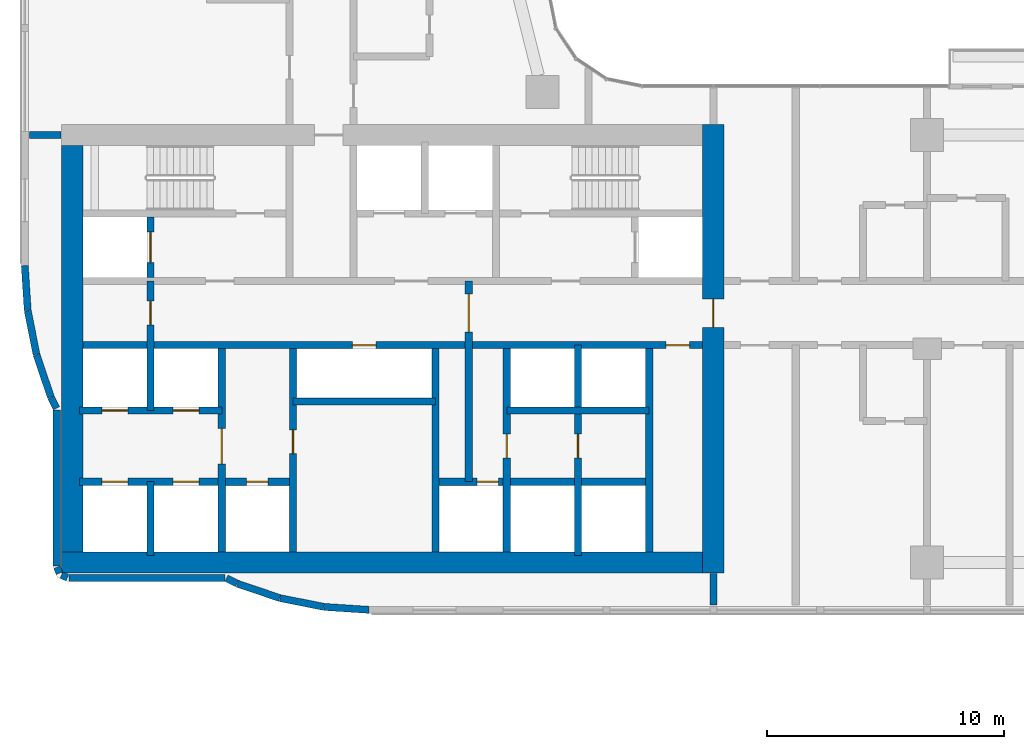
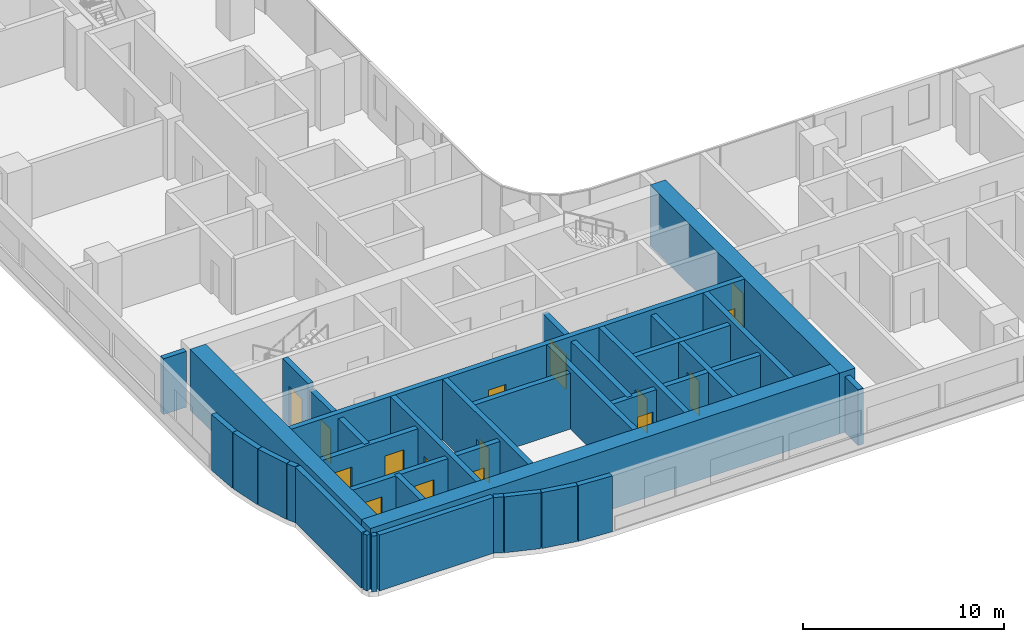
# One storey, part 15 of 32: 33 walls, 16 doors, 16 openings.
"""IFC4 building model written with IfcOpenShell, lengths in metres."""

from ifc_helpers import new_model, si_unit, direction, frame, frame_2d, origin, place, context, subcontext, project, spatial, rectangle, extrude, material, layer, layer_set, type_object, element, fill, save


model = new_model("IFC4")

# Units and contexts
model_context = context("Model", 3, precision=1e-05, world=origin(), true_north=direction((0.0, 1.0)))
body_context = subcontext(model_context, "Body", "Model", "MODEL_VIEW")
ifc_project = project(units=[si_unit("LENGTHUNIT", "METRE"), si_unit("AREAUNIT", "SQUARE_METRE"), si_unit("VOLUMEUNIT", "CUBIC_METRE"), si_unit("PLANEANGLEUNIT", "RADIAN"), si_unit("MASSUNIT", "GRAM", prefix="KILO")], contexts=[model_context])

# Site, building, storey
site_placement = place(None, origin())
site = spatial("IfcSite", under=ifc_project, at=site_placement, CompositionType="ELEMENT")
building_placement = place(site_placement, origin())
building = spatial("IfcBuilding", under=site, at=building_placement, Name="Ogive Portal Towers", CompositionType="ELEMENT")
storey_placement = place(building_placement, frame((0.0, 0.0, 55.699951171875)))
storey = spatial("IfcBuildingStorey", under=building, at=storey_placement, Name="L12", CompositionType="ELEMENT", Elevation=55.699951171875)

# Wall, opening, door
ifc_material_1 = material(Name="Concrete C60/75", Category="concrete")
ifc_layer_1 = layer(ifc_material_1, 0.300048828125)
ifc_layer_set_1 = layer_set([ifc_layer_1], Name="CORE WALL 300 C60")
wall_type_1 = type_object("IfcWallType", Name="CORE WALL 300 C60", PredefinedType="SHEAR", material=ifc_layer_set_1)
wall_1_placement = place(storey_placement, frame((37.800048828125, 21.949951171875, 0.0), z_axis=(0.0, 0.0, 1.0), x_axis=(0.0, 1.0, 0.0)))
wall_1 = element("IfcWall", 1, at=wall_1_placement, inside=storey, type_object=wall_type_1, Name="Core wall X1 L12", PredefinedType="SHEAR", context=body_context, shape_type="SweptSolid", body=[
    extrude(rectangle(XDim=8.550048828125, YDim=0.300048828125, at=frame_2d((4.27490234375, 0.0))), origin(), (0.0, 0.0, 1.0), 3.699951171875),
])
opening_1_placement = place(wall_1_placement, frame((3.699951171875, 0.0, 0.0)))
opening_1 = element("IfcOpeningElement", 2, at=opening_1_placement, cuts=wall_1, Name="Opening D03-002", PredefinedType="OPENING", context=body_context, shape_type="SweptSolid", body=[
    extrude(rectangle(XDim=1.5, YDim=2.10009765625, at=frame_2d((0.75, 1.050048828125))), frame((0.0, 0.16015625, 0.0), z_axis=(0.0, -1.0, 0.0), x_axis=(1.0, 0.0, 0.0)), (0.0, 0.0, 1.0), 0.320068359375),
])
ifc_material_2 = material(Name="Steel fire door", Category="steel")
door_type_1 = type_object("IfcDoorType", Name="DT-SWING-1500x2100-FD90S", OperationType="SINGLE_SWING_LEFT", PredefinedType="DOOR", material=ifc_material_2)
door_1_placement = place(opening_1_placement, origin())
door_1 = element("IfcDoor", 3, at=door_1_placement, inside=storey, type_object=door_type_1, Name="Door D03-002", OperationType="SINGLE_SWING_LEFT", OverallHeight=2.10009765625, OverallWidth=1.5, PredefinedType="DOOR", context=body_context, shape_type="SweptSolid", body=[
    extrude(rectangle(XDim=1.5, YDim=2.10009765625, at=frame_2d((0.75, 1.050048828125))), frame((0.0, 0.02490234375, 0.0), z_axis=(0.0, -1.0, 0.0), x_axis=(1.0, 0.0, 0.0)), (0.0, 0.0, 1.0), 0.050048828125),
])
fill(opening_1, door_1)

wall_2_placement = place(storey_placement, frame((40.800048828125, 21.949951171875, 0.0), z_axis=(0.0, 0.0, 1.0), x_axis=(0.0, 1.0, 0.0)))
wall_2 = element("IfcWall", 4, at=wall_2_placement, inside=storey, type_object=wall_type_1, Name="Core wall X2 L12", PredefinedType="SHEAR", context=body_context, shape_type="SweptSolid", body=[
    extrude(rectangle(XDim=8.550048828125, YDim=0.300048828125, at=frame_2d((4.27490234375, 0.0))), origin(), (0.0, 0.0, 1.0), 3.699951171875),
])
opening_2_placement = place(wall_2_placement, frame((4.137939453125, 0.0, 0.0)))
opening_2 = element("IfcOpeningElement", 5, at=opening_2_placement, cuts=wall_2, Name="Opening D03-022", PredefinedType="OPENING", context=body_context, shape_type="SweptSolid", body=[
    extrude(rectangle(XDim=1.0, YDim=2.10009765625, at=frame_2d((0.5, 1.050048828125))), frame((0.0, 0.16015625, 0.0), z_axis=(0.0, -1.0, 0.0), x_axis=(1.0, 0.0, 0.0)), (0.0, 0.0, 1.0), 0.320068359375),
])
door_type_2 = type_object("IfcDoorType", Name="DT-SWING-1000x2100-FD90S", OperationType="SINGLE_SWING_LEFT", PredefinedType="DOOR", material=ifc_material_2)
door_2_placement = place(opening_2_placement, origin())
door_2 = element("IfcDoor", 6, at=door_2_placement, inside=storey, type_object=door_type_2, Name="Door D03-022", OperationType="SINGLE_SWING_RIGHT", OverallHeight=2.10009765625, OverallWidth=1.0, PredefinedType="DOOR", context=body_context, shape_type="SweptSolid", body=[
    extrude(rectangle(XDim=1.0, YDim=2.10009765625, at=frame_2d((0.5, 1.050048828125))), frame((0.0, 0.02490234375, 0.0), z_axis=(0.0, -1.0, 0.0), x_axis=(1.0, 0.0, 0.0)), (0.0, 0.0, 1.0), 0.050048828125),
])
fill(opening_2, door_2)

# Wall
wall_3_placement = place(storey_placement, frame((46.800048828125, 21.949951171875, 0.0), z_axis=(0.0, 0.0, 1.0), x_axis=(0.0, 1.0, 0.0)))
element("IfcWall", 7, at=wall_3_placement, inside=storey, type_object=wall_type_1, Name="Core wall X3 L12", PredefinedType="SHEAR", context=body_context, shape_type="SweptSolid", body=[
    extrude(rectangle(XDim=8.550048828125, YDim=0.300048828125, at=frame_2d((4.27490234375, 0.0))), origin(), (0.0, 0.0, 1.0), 3.699951171875),
])

# Wall, opening, door
wall_4_placement = place(storey_placement, frame((49.800048828125, 21.949951171875, 0.0), z_axis=(0.0, 0.0, 1.0), x_axis=(0.0, 1.0, 0.0)))
wall_4 = element("IfcWall", 8, at=wall_4_placement, inside=storey, type_object=wall_type_1, Name="Core wall X4 L12", PredefinedType="SHEAR", context=body_context, shape_type="SweptSolid", body=[
    extrude(rectangle(XDim=8.550048828125, YDim=0.300048828125, at=frame_2d((4.27490234375, 0.0))), origin(), (0.0, 0.0, 1.0), 3.699951171875),
])
opening_3_placement = place(wall_4_placement, frame((3.949951171875, 0.0, 0.0)))
opening_3 = element("IfcOpeningElement", 9, at=opening_3_placement, cuts=wall_4, Name="Opening D03-023", PredefinedType="OPENING", context=body_context, shape_type="SweptSolid", body=[
    extrude(rectangle(XDim=1.0, YDim=2.10009765625, at=frame_2d((0.5, 1.050048828125))), frame((0.0, 0.16015625, 0.0), z_axis=(0.0, -1.0, 0.0), x_axis=(1.0, 0.0, 0.0)), (0.0, 0.0, 1.0), 0.320068359375),
])
door_3_placement = place(opening_3_placement, origin())
door_3 = element("IfcDoor", 10, at=door_3_placement, inside=storey, type_object=door_type_2, Name="Door D03-023", OperationType="SINGLE_SWING_LEFT", OverallHeight=2.10009765625, OverallWidth=1.0, PredefinedType="DOOR", context=body_context, shape_type="SweptSolid", body=[
    extrude(rectangle(XDim=1.0, YDim=2.10009765625, at=frame_2d((0.5, 1.050048828125))), frame((0.0, 0.02490234375, 0.0), z_axis=(0.0, -1.0, 0.0), x_axis=(1.0, 0.0, 0.0)), (0.0, 0.0, 1.0), 0.050048828125),
])
fill(opening_3, door_3)

# Wall
wall_5_placement = place(storey_placement, frame((55.800048828125, 21.949951171875, 0.0), z_axis=(0.0, 0.0, 1.0), x_axis=(0.0, 1.0, 0.0)))
element("IfcWall", 11, at=wall_5_placement, inside=storey, type_object=wall_type_1, Name="Core wall X5 L12", PredefinedType="SHEAR", context=body_context, shape_type="SweptSolid", body=[
    extrude(rectangle(XDim=8.550048828125, YDim=0.300048828125, at=frame_2d((4.27490234375, 0.0))), origin(), (0.0, 0.0, 1.0), 3.699951171875),
])

# Wall, openings, doors
wall_6_placement = place(storey_placement, frame((31.949951171875, 30.64990234375, 0.0), z_axis=(0.0, 0.0, 1.0), x_axis=(1.0, 0.0, 0.0)))
wall_6 = element("IfcWall", 12, at=wall_6_placement, inside=storey, type_object=wall_type_1, Name="Core wall Y1 L12", PredefinedType="SHEAR", context=body_context, shape_type="SweptSolid", body=[
    extrude(rectangle(XDim=26.10009765625, YDim=0.300048828125, at=frame_2d((13.050048828125, 0.0))), origin(), (0.0, 0.0, 1.0), 3.699951171875),
])
opening_4_placement = place(wall_6_placement, frame((24.550048828125, 0.0, 0.0)))
opening_4 = element("IfcOpeningElement", 13, at=opening_4_placement, cuts=wall_6, Name="Opening D03-010", PredefinedType="OPENING", context=body_context, shape_type="SweptSolid", body=[
    extrude(rectangle(XDim=1.0, YDim=2.10009765625, at=frame_2d((0.5, 1.050048828125))), frame((0.0, 0.16015625, 0.0), z_axis=(0.0, -1.0, 0.0), x_axis=(1.0, 0.0, 0.0)), (0.0, 0.0, 1.0), 0.320068359375),
])
opening_5_placement = place(wall_6_placement, frame((11.35009765625, 0.0, 0.0)))
opening_5 = element("IfcOpeningElement", 14, at=opening_5_placement, cuts=wall_6, Name="Opening D03-021", PredefinedType="OPENING", context=body_context, shape_type="SweptSolid", body=[
    extrude(rectangle(XDim=1.0, YDim=2.10009765625, at=frame_2d((0.5, 1.050048828125))), frame((0.0, 0.16015625, 0.0), z_axis=(0.0, -1.0, 0.0), x_axis=(1.0, 0.0, 0.0)), (0.0, 0.0, 1.0), 0.320068359375),
])
door_4_placement = place(opening_4_placement, origin())
door_4 = element("IfcDoor", 15, at=door_4_placement, inside=storey, type_object=door_type_2, Name="Door D03-010", OperationType="SINGLE_SWING_LEFT", OverallHeight=2.10009765625, OverallWidth=1.0, PredefinedType="DOOR", context=body_context, shape_type="SweptSolid", body=[
    extrude(rectangle(XDim=1.0, YDim=2.10009765625, at=frame_2d((0.5, 1.050048828125))), frame((0.0, 0.02490234375, 0.0), z_axis=(0.0, -1.0, 0.0), x_axis=(1.0, 0.0, 0.0)), (0.0, 0.0, 1.0), 0.050048828125),
])
fill(opening_4, door_4)
door_5_placement = place(opening_5_placement, origin())
door_5 = element("IfcDoor", 16, at=door_5_placement, inside=storey, type_object=door_type_2, Name="Riser access door D03-021", OperationType="SINGLE_SWING_LEFT", OverallHeight=2.10009765625, OverallWidth=1.0, PredefinedType="DOOR", context=body_context, shape_type="SweptSolid", body=[
    extrude(rectangle(XDim=1.0, YDim=2.10009765625, at=frame_2d((0.5, 1.050048828125))), frame((0.0, 0.02490234375, 0.0), z_axis=(0.0, -1.0, 0.0), x_axis=(1.0, 0.0, 0.0)), (0.0, 0.0, 1.0), 0.050048828125),
])
fill(opening_5, door_5)

# Wall, opening, door
wall_7_placement = place(storey_placement, frame((34.800048828125, 33.5, 0.0), z_axis=(0.0, 0.0, 1.0), x_axis=(0.0, 1.0, 0.0)))
wall_7 = element("IfcWall", 17, at=wall_7_placement, inside=storey, type_object=wall_type_1, Name="Core wall X8 L12", PredefinedType="SHEAR", context=body_context, shape_type="SweptSolid", body=[
    extrude(rectangle(XDim=2.550048828125, YDim=0.300048828125, at=frame_2d((1.27490234375, 0.0))), origin(), (0.0, 0.0, 1.0), 3.699951171875),
])
opening_6_placement = place(wall_7_placement, frame((0.625, 0.0, 0.0)))
opening_6 = element("IfcOpeningElement", 18, at=opening_6_placement, cuts=wall_7, Name="Opening D03-019", PredefinedType="OPENING", context=body_context, shape_type="SweptSolid", body=[
    extrude(rectangle(XDim=1.300048828125, YDim=2.39990234375, at=frame_2d((0.64990234375, 1.199951171875))), frame((0.0, 0.16015625, 0.0), z_axis=(0.0, -1.0, 0.0), x_axis=(1.0, 0.0, 0.0)), (0.0, 0.0, 1.0), 0.320068359375),
])
ifc_material_3 = material(Name="Stainless steel", Category="steel")
door_type_3 = type_object("IfcDoorType", Name="DT-LD-1300x2400", OperationType="SLIDING_TO_LEFT", PredefinedType="DOOR", material=ifc_material_3)
door_6_placement = place(opening_6_placement, origin())
door_6 = element("IfcDoor", 19, at=door_6_placement, inside=storey, type_object=door_type_3, Name="Door D03-019", OperationType="SLIDING_TO_LEFT", OverallHeight=2.39990234375, OverallWidth=1.300048828125, PredefinedType="DOOR", context=body_context, shape_type="SweptSolid", body=[
    extrude(rectangle(XDim=1.300048828125, YDim=2.39990234375, at=frame_2d((0.64990234375, 1.199951171875))), frame((0.0, 0.02490234375, 0.0), z_axis=(0.0, -1.0, 0.0), x_axis=(1.0, 0.0, 0.0)), (0.0, 0.0, 1.0), 0.050048828125),
])
fill(opening_6, door_6)

# Walls
ifc_layer_2 = layer(ifc_material_1, 0.89990234375)
ifc_layer_set_2 = layer_set([ifc_layer_2], Name="CORE WALL 900 C60")
wall_type_2 = type_object("IfcWallType", Name="CORE WALL 900 C60", PredefinedType="SHEAR", material=ifc_layer_set_2)
wall_8_placement = place(storey_placement, frame((31.5, 21.949951171875, 0.0), z_axis=(0.0, 0.0, 1.0), x_axis=(0.0, 1.0, 0.0)))
element("IfcWall", 20, at=wall_8_placement, inside=storey, type_object=wall_type_2, Name="Core wall W L12", PredefinedType="SHEAR", context=body_context, shape_type="SweptSolid", body=[
    extrude(rectangle(XDim=17.10009765625, YDim=0.89990234375, at=frame_2d((8.550048828125, 0.0))), origin(), (0.0, 0.0, 1.0), 3.699951171875),
])
wall_9_placement = place(storey_placement, frame((31.050048828125, 21.5, 0.0), z_axis=(0.0, 0.0, 1.0), x_axis=(1.0, 0.0, 0.0)))
element("IfcWall", 21, at=wall_9_placement, inside=storey, type_object=wall_type_2, Name="Core wall S L12", PredefinedType="SHEAR", context=body_context, shape_type="SweptSolid", body=[
    extrude(rectangle(XDim=27.0, YDim=0.89990234375, at=frame_2d((13.5, 0.0))), origin(), (0.0, 0.0, 1.0), 3.699951171875),
])

# Wall, opening, door
wall_10_placement = place(storey_placement, frame((58.5, 21.050048828125, 0.0), z_axis=(0.0, 0.0, 1.0), x_axis=(0.0, 1.0, 0.0)))
wall_10 = element("IfcWall", 22, at=wall_10_placement, inside=storey, type_object=wall_type_2, Name="Core wall E L12", PredefinedType="SHEAR", context=body_context, shape_type="SweptSolid", body=[
    extrude(rectangle(XDim=18.89990234375, YDim=0.89990234375, at=frame_2d((9.449951171875, 0.0))), origin(), (0.0, 0.0, 1.0), 3.699951171875),
])
opening_7_placement = place(wall_10_placement, frame((10.35009765625, 0.0, 0.0)))
opening_7 = element("IfcOpeningElement", 23, at=opening_7_placement, cuts=wall_10, Name="Opening D03-011", PredefinedType="OPENING", context=body_context, shape_type="SweptSolid", body=[
    extrude(rectangle(XDim=1.199951171875, YDim=2.10009765625, at=frame_2d((0.60009765625, 1.050048828125))), frame((0.0, 0.4599609375, 0.0), z_axis=(0.0, -1.0, 0.0), x_axis=(1.0, 0.0, 0.0)), (0.0, 0.0, 1.0), 0.919921875),
])
door_type_4 = type_object("IfcDoorType", Name="DT-SWING-1200x2100-FD90S", OperationType="SINGLE_SWING_LEFT", PredefinedType="DOOR", material=ifc_material_2)
door_7_placement = place(opening_7_placement, origin())
door_7 = element("IfcDoor", 24, at=door_7_placement, inside=storey, type_object=door_type_4, Name="Door D03-011", OperationType="SINGLE_SWING_LEFT", OverallHeight=2.10009765625, OverallWidth=1.199951171875, PredefinedType="DOOR", context=body_context, shape_type="SweptSolid", body=[
    extrude(rectangle(XDim=1.199951171875, YDim=2.10009765625, at=frame_2d((0.60009765625, 1.050048828125))), frame((0.0, 0.02490234375, 0.0), z_axis=(0.0, -1.0, 0.0), x_axis=(1.0, 0.0, 0.0)), (0.0, 0.0, 1.0), 0.050048828125),
])
fill(opening_7, door_7)

# Walls
ifc_material_4 = material(Name="Limestone cladding on lightweight block wall", Category="masonry")
ifc_layer_3 = layer(ifc_material_4, 0.300048828125)
ifc_layer_set_3 = layer_set([ifc_layer_3], Name="EXTERNAL WALL 300 STONE")
wall_type_3 = type_object("IfcWallType", Name="EXTERNAL WALL 300 STONE", PredefinedType="SOLIDWALL", material=ifc_layer_set_3)
wall_11_placement = place(storey_placement, frame((30.85009765625, 27.9287109375, 0.0), z_axis=(0.0, 0.0, 1.0), x_axis=(0.0, -1.0, 0.0)))
element("IfcWall", 25, at=wall_11_placement, inside=storey, type_object=wall_type_3, Name="A:L12:f00:r0:wall", PredefinedType="SOLIDWALL", context=body_context, shape_type="SweptSolid", body=[
    extrude(rectangle(XDim=6.569091796875, YDim=0.300048828125, at=frame_2d((3.28466796875, 0.0))), origin(), (0.0, 0.0, 1.0), 3.400146484375),
])
for number, where, z_axis, x_axis, name in (
    (26, (30.861328125, 21.30224609375, 0.0), (0.0, 0.0, 1.0), (0.38297812142, -0.923757413239, 0.0), "A:L12:f01:r0:wall"),
    (27, (31.0478515625, 20.966796875, 0.0), (0.0, 0.0, 1.0), (0.923757413239, -0.38297812142, 0.0), "A:L12:f02:r0:wall"),
):
    element("IfcWall", number, at=place(storey_placement, frame(where, z_axis=z_axis, x_axis=x_axis)), inside=storey, type_object=wall_type_3, Name=name, PredefinedType="SOLIDWALL", context=body_context, shape_type="SweptSolid", body=[
        extrude(rectangle(XDim=0.275390625, YDim=0.300048828125, at=frame_2d((0.1376953125, 0.0))), origin(), (0.0, 0.0, 1.0), 3.400146484375),
    ])
wall_12_placement = place(storey_placement, frame((31.359619140625, 20.85009765625, 0.0), z_axis=(0.0, 0.0, 1.0), x_axis=(1.0, 0.0, 0.0)))
element("IfcWall", 28, at=wall_12_placement, inside=storey, type_object=wall_type_3, Name="A:L12:f03:r0:wall", PredefinedType="SOLIDWALL", context=body_context, shape_type="SweptSolid", body=[
    extrude(rectangle(XDim=6.569091796875, YDim=0.300048828125, at=frame_2d((3.28466796875, 0.0))), origin(), (0.0, 0.0, 1.0), 3.400146484375),
])
wall_13_placement = place(storey_placement, frame((37.9951171875, 20.83447265625, 0.0), z_axis=(0.0, 0.0, 1.0), x_axis=(0.896947675211, -0.442136707291, 0.0)))
element("IfcWall", 29, at=wall_13_placement, inside=storey, type_object=wall_type_3, Name="A:L12:f04:r0:wall", PredefinedType="SOLIDWALL", context=body_context, shape_type="SweptSolid", body=[
    extrude(rectangle(XDim=0.500732421875, YDim=0.300048828125, at=frame_2d((0.25048828125, 0.0))), origin(), (0.0, 0.0, 1.0), 3.400146484375),
])
for number, where, z_axis, x_axis, name in (
    (30, (38.46240234375, 20.60546875, 0.0), (0.0, 0.0, 1.0), (0.946951833826, -0.321375519312, 0.0), "A:L12:f05:r0:wall"),
    (31, (40.258056640625, 19.997314453125, 0.0), (0.0, 0.0, 1.0), (0.980795273054, -0.195040078842, 0.0), "A:L12:f06:r0:wall"),
):
    element("IfcWall", number, at=place(storey_placement, frame(where, z_axis=z_axis, x_axis=x_axis)), inside=storey, type_object=wall_type_3, Name=name, PredefinedType="SOLIDWALL", context=body_context, shape_type="SweptSolid", body=[
        extrude(rectangle(XDim=1.87646484375, YDim=0.300048828125, at=frame_2d((0.938232421875, 0.0))), origin(), (0.0, 0.0, 1.0), 3.400146484375),
    ])
for number, where, z_axis, x_axis, name in (
    (32, (42.117919921875, 19.628662109375, 0.0), (0.0, 0.0, 1.0), (0.997861241975, -0.065367742534, 0.0), "A:L12:f07:r0:wall"),
    (33, (29.50537109375, 34.0, 0.0), (0.0, 0.0, 1.0), (0.065367742534, -0.997861241975, 0.0), "A:L12:f29:r0:wall"),
):
    element("IfcWall", number, at=place(storey_placement, frame(where, z_axis=z_axis, x_axis=x_axis)), inside=storey, type_object=wall_type_3, Name=name, PredefinedType="SOLIDWALL", context=body_context, shape_type="SweptSolid", body=[
        extrude(rectangle(XDim=1.88623046875, YDim=0.300048828125, at=frame_2d((0.943115234375, 0.0))), origin(), (0.0, 0.0, 1.0), 3.400146484375),
    ])
for number, where, z_axis, x_axis, name in (
    (34, (29.63134765625, 32.098388671875, 0.0), (0.0, 0.0, 1.0), (0.195040078842, -0.980795273054, 0.0), "A:L12:f30:r0:wall"),
    (35, (30.00244140625, 30.2392578125, 0.0), (0.0, 0.0, 1.0), (0.321375519312, -0.946951833826, 0.0), "A:L12:f31:r0:wall"),
):
    element("IfcWall", number, at=place(storey_placement, frame(where, z_axis=z_axis, x_axis=x_axis)), inside=storey, type_object=wall_type_3, Name=name, PredefinedType="SOLIDWALL", context=body_context, shape_type="SweptSolid", body=[
        extrude(rectangle(XDim=1.87646484375, YDim=0.300048828125, at=frame_2d((0.938232421875, 0.0))), origin(), (0.0, 0.0, 1.0), 3.400146484375),
    ])
wall_14_placement = place(storey_placement, frame((30.613037109375, 28.4443359375, 0.0), z_axis=(0.0, 0.0, 1.0), x_axis=(0.442136707291, -0.896947675211, 0.0)))
element("IfcWall", 36, at=wall_14_placement, inside=storey, type_object=wall_type_3, Name="A:L12:f32:r0:wall", PredefinedType="SOLIDWALL", context=body_context, shape_type="SweptSolid", body=[
    extrude(rectangle(XDim=0.500732421875, YDim=0.300048828125, at=frame_2d((0.25048828125, 0.0))), origin(), (0.0, 0.0, 1.0), 3.400146484375),
])
ifc_material_5 = material(Name="Gypsum board partition on steel studs", Category="steel")
ifc_layer_4 = layer(ifc_material_5, 0.300048828125)
ifc_layer_set_4 = layer_set([ifc_layer_4], Name="WT-PART-300")
wall_type_4 = type_object("IfcWallType", Name="WT-PART-300", PredefinedType="PARTITIONING", material=ifc_layer_set_4)
wall_15_placement = place(storey_placement, frame((40.800048828125, 28.277099609375, 0.0), z_axis=(0.0, 0.0, 1.0), x_axis=(1.0, 0.0, 0.0)))
element("IfcWall", 37, at=wall_15_placement, inside=storey, type_object=wall_type_4, Name="Wall pw:005:L12", PredefinedType="PARTITIONING", context=body_context, shape_type="SweptSolid", body=[
    extrude(rectangle(XDim=6.0, YDim=0.300048828125, at=frame_2d((3.0, 0.0))), origin(), (0.0, 0.0, 1.0), 3.400146484375),
])

# Wall, opening, door
wall_16_placement = place(storey_placement, frame((48.199951171875, 24.89990234375, 0.0), z_axis=(0.0, 0.0, 1.0), x_axis=(0.0, 1.0, 0.0)))
wall_16 = element("IfcWall", 38, at=wall_16_placement, inside=storey, type_object=wall_type_4, Name="Wall pw:010:L12", PredefinedType="PARTITIONING", context=body_context, shape_type="SweptSolid", body=[
    extrude(rectangle(XDim=8.4501953125, YDim=0.300048828125, at=frame_2d((4.22509765625, 0.0))), origin(), (0.0, 0.0, 1.0), 3.400146484375),
])
opening_8_placement = place(wall_16_placement, frame((6.300048828125, 0.0, 0.0)))
opening_8 = element("IfcOpeningElement", 39, at=opening_8_placement, cuts=wall_16, Name="Opening D03-001", PredefinedType="OPENING", context=body_context, shape_type="SweptSolid", body=[
    extrude(rectangle(XDim=1.60009765625, YDim=2.10009765625, at=frame_2d((0.800048828125, 1.050048828125))), frame((0.0, 0.16015625, 0.0), z_axis=(0.0, -1.0, 0.0), x_axis=(1.0, 0.0, 0.0)), (0.0, 0.0, 1.0), 0.320068359375),
])
door_type_5 = type_object("IfcDoorType", Name="DT-SWING-1600x2100-FD60S", OperationType="SINGLE_SWING_LEFT", PredefinedType="DOOR", material=ifc_material_2)
door_8_placement = place(opening_8_placement, origin())
door_8 = element("IfcDoor", 40, at=door_8_placement, inside=storey, type_object=door_type_5, Name="Door D03-001", OperationType="SINGLE_SWING_LEFT", OverallHeight=2.10009765625, OverallWidth=1.60009765625, PredefinedType="DOOR", context=body_context, shape_type="SweptSolid", body=[
    extrude(rectangle(XDim=1.60009765625, YDim=2.10009765625, at=frame_2d((0.800048828125, 1.050048828125))), frame((0.0, 0.02490234375, 0.0), z_axis=(0.0, -1.0, 0.0), x_axis=(1.0, 0.0, 0.0)), (0.0, 0.0, 1.0), 0.050048828125),
])
fill(opening_8, door_8)

# Walls
ifc_layer_5 = layer(ifc_material_5, 0.300048828125)
ifc_layer_set_5 = layer_set([ifc_layer_5], Name="WT-PART-300-EI 60")
wall_type_5 = type_object("IfcWallType", Name="WT-PART-300-EI 60", PredefinedType="PARTITIONING", material=ifc_layer_set_5)
for number, where, z_axis, x_axis, name in (
    (41, (29.705078125, 39.5, 0.0), (0.0, 0.0, 1.0), (1.0, 0.0, 0.0), "Wall L12:w013"),
    (42, (58.5, 19.705078125, 0.0), (0.0, 0.0, 1.0), (0.0, 1.0, 0.0), "Wall L12:w043"),
):
    element("IfcWall", number, at=place(storey_placement, frame(where, z_axis=z_axis, x_axis=x_axis)), inside=storey, type_object=wall_type_5, Name=name, PredefinedType="PARTITIONING", context=body_context, shape_type="SweptSolid", body=[
        extrude(rectangle(XDim=1.324951171875, YDim=0.300048828125, at=frame_2d((0.66259765625, 0.0))), origin(), (0.0, 0.0, 1.0), 3.400146484375),
    ])

# Wall, openings, doors
ifc_material_6 = material(Name="Concrete C40/50", Category="concrete")
ifc_layer_6 = layer(ifc_material_6, 0.300048828125)
ifc_layer_set_6 = layer_set([ifc_layer_6], Name="WT-SHAFT-300")
wall_type_6 = type_object("IfcWallType", Name="WT-SHAFT-300", PredefinedType="SOLIDWALL", material=ifc_layer_set_6)
wall_17_placement = place(storey_placement, frame((31.800048828125, 24.89990234375, 0.0), z_axis=(0.0, 0.0, 1.0), x_axis=(1.0, 0.0, 0.0)))
wall_17 = element("IfcWall", 43, at=wall_17_placement, inside=storey, type_object=wall_type_6, Name="Wall pw:001:L12", PredefinedType="SOLIDWALL", context=body_context, shape_type="SweptSolid", body=[
    extrude(rectangle(XDim=9.0, YDim=0.300048828125, at=frame_2d((4.5, 0.0))), origin(), (0.0, 0.0, 1.0), 3.400146484375),
])
opening_9_placement = place(wall_17_placement, frame((7.050048828125, 0.0, 0.0)))
opening_9 = element("IfcOpeningElement", 44, at=opening_9_placement, cuts=wall_17, Name="Opening D03-008", PredefinedType="OPENING", context=body_context, shape_type="SweptSolid", body=[
    extrude(rectangle(XDim=0.89990234375, YDim=2.10009765625, at=frame_2d((0.449951171875, 1.050048828125))), frame((0.0, 0.16015625, 0.0), z_axis=(0.0, -1.0, 0.0), x_axis=(1.0, 0.0, 0.0)), (0.0, 0.0, 1.0), 0.320068359375),
])
opening_10_placement = place(wall_17_placement, frame((0.949951171875, 0.0, 0.0)))
opening_10 = element("IfcOpeningElement", 45, at=opening_10_placement, cuts=wall_17, Name="Opening D03-013", PredefinedType="OPENING", context=body_context, shape_type="SweptSolid", body=[
    extrude(rectangle(XDim=1.10009765625, YDim=2.39990234375, at=frame_2d((0.550048828125, 1.199951171875))), frame((0.0, 0.16015625, 0.0), z_axis=(0.0, -1.0, 0.0), x_axis=(1.0, 0.0, 0.0)), (0.0, 0.0, 1.0), 0.320068359375),
])
opening_11_placement = place(wall_17_placement, frame((3.949951171875, 0.0, 0.0)))
opening_11 = element("IfcOpeningElement", 46, at=opening_11_placement, cuts=wall_17, Name="Opening D03-014", PredefinedType="OPENING", context=body_context, shape_type="SweptSolid", body=[
    extrude(rectangle(XDim=1.10009765625, YDim=2.39990234375, at=frame_2d((0.550048828125, 1.199951171875))), frame((0.0, 0.16015625, 0.0), z_axis=(0.0, -1.0, 0.0), x_axis=(1.0, 0.0, 0.0)), (0.0, 0.0, 1.0), 0.320068359375),
])
door_type_6 = type_object("IfcDoorType", Name="DT-LD-1100x2400", OperationType="SLIDING_TO_LEFT", PredefinedType="DOOR", material=ifc_material_3)
door_9_placement = place(opening_10_placement, origin())
door_9 = element("IfcDoor", 47, at=door_9_placement, inside=storey, type_object=door_type_6, Name="Door D03-013", OperationType="SLIDING_TO_LEFT", OverallHeight=2.39990234375, OverallWidth=1.10009765625, PredefinedType="DOOR", context=body_context, shape_type="SweptSolid", body=[
    extrude(rectangle(XDim=1.10009765625, YDim=2.39990234375, at=frame_2d((0.550048828125, 1.199951171875))), frame((0.0, 0.02490234375, 0.0), z_axis=(0.0, -1.0, 0.0), x_axis=(1.0, 0.0, 0.0)), (0.0, 0.0, 1.0), 0.050048828125),
])
fill(opening_10, door_9)
door_10_placement = place(opening_11_placement, origin())
door_10 = element("IfcDoor", 48, at=door_10_placement, inside=storey, type_object=door_type_6, Name="Door D03-014", OperationType="SLIDING_TO_LEFT", OverallHeight=2.39990234375, OverallWidth=1.10009765625, PredefinedType="DOOR", context=body_context, shape_type="SweptSolid", body=[
    extrude(rectangle(XDim=1.10009765625, YDim=2.39990234375, at=frame_2d((0.550048828125, 1.199951171875))), frame((0.0, 0.02490234375, 0.0), z_axis=(0.0, -1.0, 0.0), x_axis=(1.0, 0.0, 0.0)), (0.0, 0.0, 1.0), 0.050048828125),
])
fill(opening_11, door_10)
door_type_7 = type_object("IfcDoorType", Name="DT-SWING-900x2100-FD90S", OperationType="SINGLE_SWING_LEFT", PredefinedType="DOOR", material=ifc_material_2)
door_11_placement = place(opening_9_placement, origin())
door_11 = element("IfcDoor", 49, at=door_11_placement, inside=storey, type_object=door_type_7, Name="Riser access door D03-008", OperationType="SINGLE_SWING_LEFT", OverallHeight=2.10009765625, OverallWidth=0.89990234375, PredefinedType="DOOR", context=body_context, shape_type="SweptSolid", body=[
    extrude(rectangle(XDim=0.89990234375, YDim=2.10009765625, at=frame_2d((0.449951171875, 1.050048828125))), frame((0.0, 0.02490234375, 0.0), z_axis=(0.0, -1.0, 0.0), x_axis=(1.0, 0.0, 0.0)), (0.0, 0.0, 1.0), 0.050048828125),
])
fill(opening_9, door_11)

# Wall, opening, door
wall_18_placement = place(storey_placement, frame((46.800048828125, 24.89990234375, 0.0), z_axis=(0.0, 0.0, 1.0), x_axis=(1.0, 0.0, 0.0)))
wall_18 = element("IfcWall", 50, at=wall_18_placement, inside=storey, type_object=wall_type_6, Name="Wall pw:002:L12", PredefinedType="SOLIDWALL", context=body_context, shape_type="SweptSolid", body=[
    extrude(rectangle(XDim=9.0, YDim=0.300048828125, at=frame_2d((4.5, 0.0))), origin(), (0.0, 0.0, 1.0), 3.400146484375),
])
opening_12_placement = place(wall_18_placement, frame((1.75, 0.0, 0.0)))
opening_12 = element("IfcOpeningElement", 51, at=opening_12_placement, cuts=wall_18, Name="Opening D03-009", PredefinedType="OPENING", context=body_context, shape_type="SweptSolid", body=[
    extrude(rectangle(XDim=0.89990234375, YDim=2.10009765625, at=frame_2d((0.449951171875, 1.050048828125))), frame((0.0, 0.16015625, 0.0), z_axis=(0.0, -1.0, 0.0), x_axis=(1.0, 0.0, 0.0)), (0.0, 0.0, 1.0), 0.320068359375),
])
door_12_placement = place(opening_12_placement, origin())
door_12 = element("IfcDoor", 52, at=door_12_placement, inside=storey, type_object=door_type_7, Name="Riser access door D03-009", OperationType="SINGLE_SWING_RIGHT", OverallHeight=2.10009765625, OverallWidth=0.89990234375, PredefinedType="DOOR", context=body_context, shape_type="SweptSolid", body=[
    extrude(rectangle(XDim=0.89990234375, YDim=2.10009765625, at=frame_2d((0.449951171875, 1.050048828125))), frame((0.0, 0.02490234375, 0.0), z_axis=(0.0, -1.0, 0.0), x_axis=(1.0, 0.0, 0.0)), (0.0, 0.0, 1.0), 0.050048828125),
])
fill(opening_12, door_12)

# Wall, openings, doors
wall_19_placement = place(storey_placement, frame((31.800048828125, 27.89990234375, 0.0), z_axis=(0.0, 0.0, 1.0), x_axis=(1.0, 0.0, 0.0)))
wall_19 = element("IfcWall", 53, at=wall_19_placement, inside=storey, type_object=wall_type_6, Name="Wall pw:003:L12", PredefinedType="SOLIDWALL", context=body_context, shape_type="SweptSolid", body=[
    extrude(rectangle(XDim=6.0, YDim=0.300048828125, at=frame_2d((3.0, 0.0))), origin(), (0.0, 0.0, 1.0), 3.400146484375),
])
opening_13_placement = place(wall_19_placement, frame((0.949951171875, 0.0, 0.0)))
opening_13 = element("IfcOpeningElement", 54, at=opening_13_placement, cuts=wall_19, Name="Opening D03-015", PredefinedType="OPENING", context=body_context, shape_type="SweptSolid", body=[
    extrude(rectangle(XDim=1.10009765625, YDim=2.39990234375, at=frame_2d((0.550048828125, 1.199951171875))), frame((0.0, 0.16015625, 0.0), z_axis=(0.0, -1.0, 0.0), x_axis=(1.0, 0.0, 0.0)), (0.0, 0.0, 1.0), 0.320068359375),
])
opening_14_placement = place(wall_19_placement, frame((3.949951171875, 0.0, 0.0)))
opening_14 = element("IfcOpeningElement", 55, at=opening_14_placement, cuts=wall_19, Name="Opening D03-016", PredefinedType="OPENING", context=body_context, shape_type="SweptSolid", body=[
    extrude(rectangle(XDim=1.10009765625, YDim=2.39990234375, at=frame_2d((0.550048828125, 1.199951171875))), frame((0.0, 0.16015625, 0.0), z_axis=(0.0, -1.0, 0.0), x_axis=(1.0, 0.0, 0.0)), (0.0, 0.0, 1.0), 0.320068359375),
])
door_13_placement = place(opening_13_placement, origin())
door_13 = element("IfcDoor", 56, at=door_13_placement, inside=storey, type_object=door_type_6, Name="Door D03-015", OperationType="SLIDING_TO_LEFT", OverallHeight=2.39990234375, OverallWidth=1.10009765625, PredefinedType="DOOR", context=body_context, shape_type="SweptSolid", body=[
    extrude(rectangle(XDim=1.10009765625, YDim=2.39990234375, at=frame_2d((0.550048828125, 1.199951171875))), frame((0.0, 0.02490234375, 0.0), z_axis=(0.0, -1.0, 0.0), x_axis=(1.0, 0.0, 0.0)), (0.0, 0.0, 1.0), 0.050048828125),
])
fill(opening_13, door_13)
door_14_placement = place(opening_14_placement, origin())
door_14 = element("IfcDoor", 57, at=door_14_placement, inside=storey, type_object=door_type_6, Name="Door D03-016", OperationType="SLIDING_TO_LEFT", OverallHeight=2.39990234375, OverallWidth=1.10009765625, PredefinedType="DOOR", context=body_context, shape_type="SweptSolid", body=[
    extrude(rectangle(XDim=1.10009765625, YDim=2.39990234375, at=frame_2d((0.550048828125, 1.199951171875))), frame((0.0, 0.02490234375, 0.0), z_axis=(0.0, -1.0, 0.0), x_axis=(1.0, 0.0, 0.0)), (0.0, 0.0, 1.0), 0.050048828125),
])
fill(opening_14, door_14)

# Walls
wall_20_placement = place(storey_placement, frame((49.800048828125, 27.89990234375, 0.0), z_axis=(0.0, 0.0, 1.0), x_axis=(1.0, 0.0, 0.0)))
element("IfcWall", 58, at=wall_20_placement, inside=storey, type_object=wall_type_6, Name="Wall pw:004:L12", PredefinedType="SOLIDWALL", context=body_context, shape_type="SweptSolid", body=[
    extrude(rectangle(XDim=6.0, YDim=0.300048828125, at=frame_2d((3.0, 0.0))), origin(), (0.0, 0.0, 1.0), 3.400146484375),
])
wall_21_placement = place(storey_placement, frame((34.800048828125, 21.800048828125, 0.0), z_axis=(0.0, 0.0, 1.0), x_axis=(0.0, 1.0, 0.0)))
element("IfcWall", 59, at=wall_21_placement, inside=storey, type_object=wall_type_6, Name="Wall pw:007:L12", PredefinedType="SOLIDWALL", context=body_context, shape_type="SweptSolid", body=[
    extrude(rectangle(XDim=3.099853515625, YDim=0.300048828125, at=frame_2d((1.5498046875, 0.0))), origin(), (0.0, 0.0, 1.0), 3.400146484375),
])

# Wall, opening, door
wall_22_placement = place(storey_placement, frame((34.800048828125, 27.89990234375, 0.0), z_axis=(0.0, 0.0, 1.0), x_axis=(0.0, 1.0, 0.0)))
wall_22 = element("IfcWall", 60, at=wall_22_placement, inside=storey, type_object=wall_type_6, Name="Wall pw:008:L12", PredefinedType="SOLIDWALL", context=body_context, shape_type="SweptSolid", body=[
    extrude(rectangle(XDim=5.4501953125, YDim=0.300048828125, at=frame_2d((2.72509765625, 0.0))), origin(), (0.0, 0.0, 1.0), 3.400146484375),
])
opening_15_placement = place(wall_22_placement, frame((3.60009765625, 0.0, 0.0)))
opening_15 = element("IfcOpeningElement", 61, at=opening_15_placement, cuts=wall_22, Name="Opening D03-025", PredefinedType="OPENING", context=body_context, shape_type="SweptSolid", body=[
    extrude(rectangle(XDim=1.0, YDim=2.10009765625, at=frame_2d((0.5, 1.050048828125))), frame((0.0, 0.16015625, 0.0), z_axis=(0.0, -1.0, 0.0), x_axis=(1.0, 0.0, 0.0)), (0.0, 0.0, 1.0), 0.320068359375),
])
door_15_placement = place(opening_15_placement, origin())
door_15 = element("IfcDoor", 62, at=door_15_placement, inside=storey, type_object=door_type_2, Name="Door D03-025", OperationType="SINGLE_SWING_LEFT", OverallHeight=2.10009765625, OverallWidth=1.0, PredefinedType="DOOR", context=body_context, shape_type="SweptSolid", body=[
    extrude(rectangle(XDim=1.0, YDim=2.10009765625, at=frame_2d((0.5, 1.050048828125))), frame((0.0, 0.02490234375, 0.0), z_axis=(0.0, -1.0, 0.0), x_axis=(1.0, 0.0, 0.0)), (0.0, 0.0, 1.0), 0.050048828125),
])
fill(opening_15, door_15)

wall_23_placement = place(storey_placement, frame((52.800048828125, 21.800048828125, 0.0), z_axis=(0.0, 0.0, 1.0), x_axis=(0.0, 1.0, 0.0)))
wall_23 = element("IfcWall", 63, at=wall_23_placement, inside=storey, type_object=wall_type_6, Name="Wall pw:011:L12", PredefinedType="SOLIDWALL", context=body_context, shape_type="SweptSolid", body=[
    extrude(rectangle(XDim=8.849853515625, YDim=0.300048828125, at=frame_2d((4.4248046875, 0.0))), origin(), (0.0, 0.0, 1.0), 3.400146484375),
])
opening_16_placement = place(wall_23_placement, frame((4.10009765625, 0.0, 0.0)))
opening_16 = element("IfcOpeningElement", 64, at=opening_16_placement, cuts=wall_23, Name="Opening D03-024", PredefinedType="OPENING", context=body_context, shape_type="SweptSolid", body=[
    extrude(rectangle(XDim=1.0, YDim=2.10009765625, at=frame_2d((0.5, 1.050048828125))), frame((0.0, 0.16015625, 0.0), z_axis=(0.0, -1.0, 0.0), x_axis=(1.0, 0.0, 0.0)), (0.0, 0.0, 1.0), 0.320068359375),
])
door_16_placement = place(opening_16_placement, origin())
door_16 = element("IfcDoor", 65, at=door_16_placement, inside=storey, type_object=door_type_2, Name="Door D03-024", OperationType="SINGLE_SWING_RIGHT", OverallHeight=2.10009765625, OverallWidth=1.0, PredefinedType="DOOR", context=body_context, shape_type="SweptSolid", body=[
    extrude(rectangle(XDim=1.0, YDim=2.10009765625, at=frame_2d((0.5, 1.050048828125))), frame((0.0, 0.02490234375, 0.0), z_axis=(0.0, -1.0, 0.0), x_axis=(1.0, 0.0, 0.0)), (0.0, 0.0, 1.0), 0.050048828125),
])
fill(opening_16, door_16)

save(model, "model.ifc")
